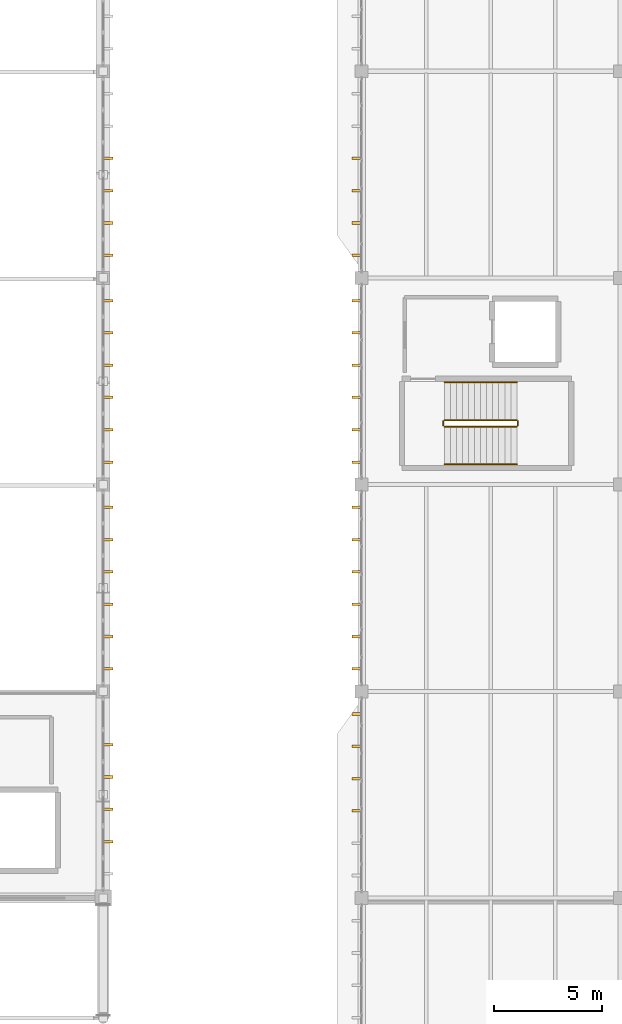
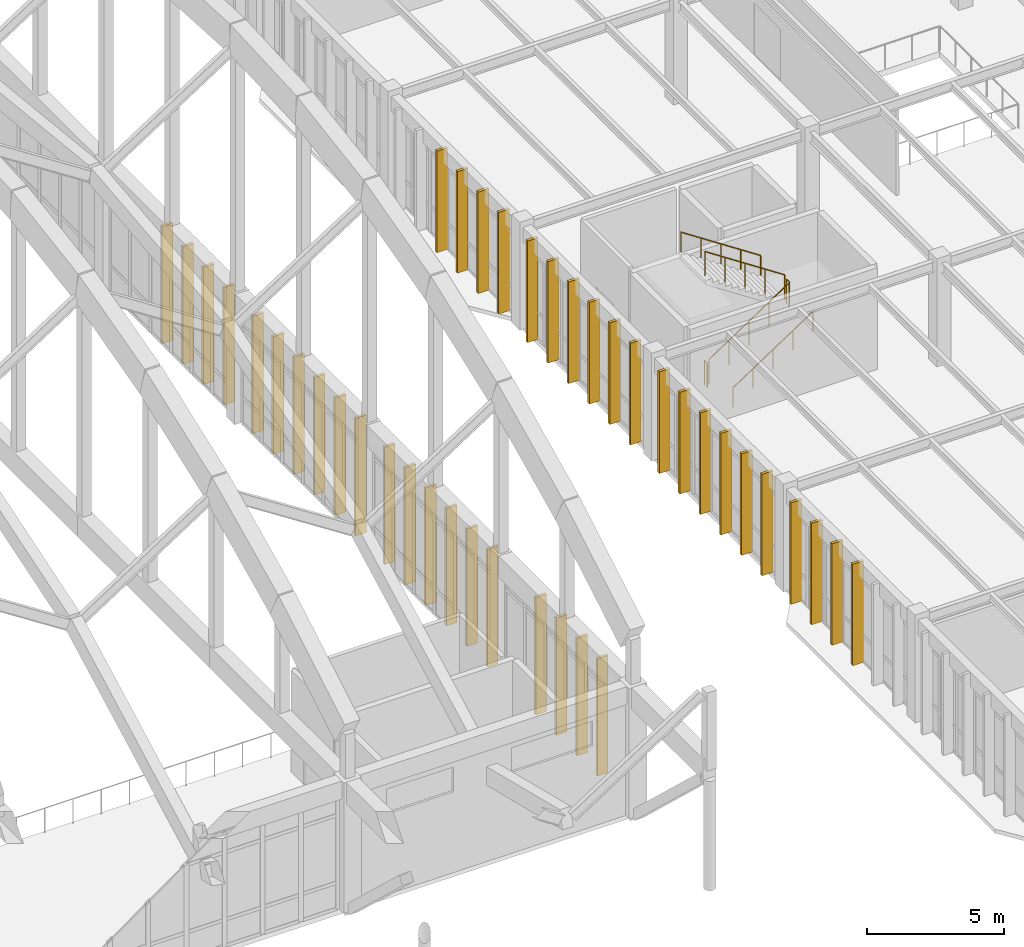
# One storey, part 232 of 236: 40 shading devices, 6 railings.
"""IFC4 building model written with IfcOpenShell, lengths in metres."""

from ifc_helpers import new_model, si_unit, direction, frame, origin, origin_2d, place, context, subcontext, project, spatial, rectangle, circle, extrude, material, type_object, element, save


model = new_model("IFC4")

# Units and contexts
model_context = context("Model", 3, precision=1e-05, world=origin(), true_north=direction((0.0, 1.0)))
body_context = subcontext(model_context, "Body", "Model", "MODEL_VIEW")
ifc_project = project(units=[si_unit("LENGTHUNIT", "METRE"), si_unit("AREAUNIT", "SQUARE_METRE"), si_unit("VOLUMEUNIT", "CUBIC_METRE"), si_unit("PLANEANGLEUNIT", "RADIAN"), si_unit("MASSUNIT", "GRAM", prefix="KILO")], contexts=[model_context])

# Site, building, storey
site_placement = place(None, origin())
site = spatial("IfcSite", under=ifc_project, at=site_placement, CompositionType="ELEMENT")
building_placement = place(site_placement, origin())
building = spatial("IfcBuilding", under=site, at=building_placement, Name="Pandanus Reach Market Hall", CompositionType="ELEMENT")
storey_placement = place(building_placement, frame((0.0, 0.0, 5.39990234375)))
storey = spatial("IfcBuildingStorey", under=building, at=storey_placement, Name="L01", CompositionType="ELEMENT", Elevation=5.39990234375)

# Shading devices
ifc_material_1 = material(Name="Precast concrete S50 (50 MPa)", Category="concrete")
shading_device_type = type_object("IfcShadingDeviceType", Name="FN-S50-450", PredefinedType="JALOUSIE", material=ifc_material_1)
for number, where, z_axis, x_axis, name in (
    (1, (132.219970703125, 31.425048828125, -0.009765625), (0.0, 0.0, 1.0), (1.0, 0.0, 0.0), "Precast brise-soleil fin 80"),
    (2, (132.219970703125, 32.925048828125, -0.009765625), (0.0, 0.0, 1.0), (1.0, 0.0, 0.0), "Precast brise-soleil fin 81"),
    (3, (132.219970703125, 34.425048828125, -0.009765625), (0.0, 0.0, 1.0), (1.0, 0.0, 0.0), "Precast brise-soleil fin 82"),
    (4, (132.219970703125, 35.925048828125, -0.009765625), (0.0, 0.0, 1.0), (1.0, 0.0, 0.0), "Precast brise-soleil fin 83"),
    (5, (132.219970703125, 39.449951171875, -0.009765625), (0.0, 0.0, 1.0), (1.0, 0.0, 0.0), "Precast brise-soleil fin 90"),
    (6, (132.219970703125, 40.949951171875, -0.009765625), (0.0, 0.0, 1.0), (1.0, 0.0, 0.0), "Precast brise-soleil fin 91"),
    (7, (132.219970703125, 42.449951171875, -0.009765625), (0.0, 0.0, 1.0), (1.0, 0.0, 0.0), "Precast brise-soleil fin 92"),
    (8, (132.219970703125, 43.949951171875, -0.009765625), (0.0, 0.0, 1.0), (1.0, 0.0, 0.0), "Precast brise-soleil fin 93"),
    (9, (132.219970703125, 45.449951171875, -0.009765625), (0.0, 0.0, 1.0), (1.0, 0.0, 0.0), "Precast brise-soleil fin 94"),
    (10, (132.219970703125, 46.949951171875, -0.009765625), (0.0, 0.0, 1.0), (1.0, 0.0, 0.0), "Precast brise-soleil fin 95"),
    (11, (132.219970703125, 49.050048828125, -0.009765625), (0.0, 0.0, 1.0), (1.0, 0.0, 0.0), "Precast brise-soleil fin 114"),
    (12, (132.219970703125, 50.550048828125, -0.009765625), (0.0, 0.0, 1.0), (1.0, 0.0, 0.0), "Precast brise-soleil fin 115"),
    (13, (132.219970703125, 52.050048828125, -0.009765625), (0.0, 0.0, 1.0), (1.0, 0.0, 0.0), "Precast brise-soleil fin 116"),
    (14, (132.219970703125, 53.550048828125, -0.009765625), (0.0, 0.0, 1.0), (1.0, 0.0, 0.0), "Precast brise-soleil fin 117"),
    (15, (132.219970703125, 55.050048828125, -0.009765625), (0.0, 0.0, 1.0), (1.0, 0.0, 0.0), "Precast brise-soleil fin 118"),
    (16, (132.219970703125, 56.550048828125, -0.009765625), (0.0, 0.0, 1.0), (1.0, 0.0, 0.0), "Precast brise-soleil fin 119"),
    (17, (132.219970703125, 58.64990234375, -0.009765625), (0.0, 0.0, 1.0), (1.0, 0.0, 0.0), "Precast brise-soleil fin 138"),
    (18, (132.219970703125, 60.14990234375, -0.009765625), (0.0, 0.0, 1.0), (1.0, 0.0, 0.0), "Precast brise-soleil fin 139"),
    (19, (132.219970703125, 61.64990234375, -0.009765625), (0.0, 0.0, 1.0), (1.0, 0.0, 0.0), "Precast brise-soleil fin 140"),
    (20, (132.219970703125, 63.14990234375, -0.009765625), (0.0, 0.0, 1.0), (1.0, 0.0, 0.0), "Precast brise-soleil fin 141"),
):
    element("IfcShadingDevice", number, at=place(storey_placement, frame(where, z_axis=z_axis, x_axis=x_axis)), inside=storey, type_object=shading_device_type, Name=name, PredefinedType="JALOUSIE", context=body_context, shape_type="SweptSolid", body=[
        extrude(rectangle(XDim=0.449951171875, YDim=0.1201171875, at=origin_2d()), origin(), (0.0, 0.0, 1.0), 5.219970703125),
    ])
for number, where, z_axis, x_axis, name in (
    (21, (143.780029296875, 32.85009765625, -0.010009765625), (0.0, 0.0, 1.0), (-1.0, 0.0, 0.0), "Precast brise-soleil fin 383"),
    (22, (143.780029296875, 34.35009765625, -0.010009765625), (0.0, 0.0, 1.0), (-1.0, 0.0, 0.0), "Precast brise-soleil fin 384"),
    (23, (143.780029296875, 35.85009765625, -0.010009765625), (0.0, 0.0, 1.0), (-1.0, 0.0, 0.0), "Precast brise-soleil fin 385"),
    (24, (143.780029296875, 37.35009765625, -0.010009765625), (0.0, 0.0, 1.0), (-1.0, 0.0, 0.0), "Precast brise-soleil fin 386"),
    (25, (143.780029296875, 39.449951171875, -0.010009765625), (0.0, 0.0, 1.0), (-1.0, 0.0, 0.0), "Precast brise-soleil fin 387"),
    (26, (143.780029296875, 40.949951171875, -0.010009765625), (0.0, 0.0, 1.0), (-1.0, 0.0, 0.0), "Precast brise-soleil fin 388"),
    (27, (143.780029296875, 42.449951171875, -0.010009765625), (0.0, 0.0, 1.0), (-1.0, 0.0, 0.0), "Precast brise-soleil fin 389"),
    (28, (143.780029296875, 43.949951171875, -0.010009765625), (0.0, 0.0, 1.0), (-1.0, 0.0, 0.0), "Precast brise-soleil fin 390"),
    (29, (143.780029296875, 45.449951171875, -0.010009765625), (0.0, 0.0, 1.0), (-1.0, 0.0, 0.0), "Precast brise-soleil fin 391"),
    (30, (143.780029296875, 46.949951171875, -0.010009765625), (0.0, 0.0, 1.0), (-1.0, 0.0, 0.0), "Precast brise-soleil fin 392"),
    (31, (143.780029296875, 49.050048828125, -0.010009765625), (0.0, 0.0, 1.0), (-1.0, 0.0, 0.0), "Precast brise-soleil fin 393"),
    (32, (143.780029296875, 50.550048828125, -0.010009765625), (0.0, 0.0, 1.0), (-1.0, 0.0, 0.0), "Precast brise-soleil fin 394"),
    (33, (143.780029296875, 52.050048828125, -0.010009765625), (0.0, 0.0, 1.0), (-1.0, 0.0, 0.0), "Precast brise-soleil fin 395"),
    (34, (143.780029296875, 53.550048828125, -0.010009765625), (0.0, 0.0, 1.0), (-1.0, 0.0, 0.0), "Precast brise-soleil fin 396"),
    (35, (143.780029296875, 55.050048828125, -0.010009765625), (0.0, 0.0, 1.0), (-1.0, 0.0, 0.0), "Precast brise-soleil fin 397"),
    (36, (143.780029296875, 56.550048828125, -0.010009765625), (0.0, 0.0, 1.0), (-1.0, 0.0, 0.0), "Precast brise-soleil fin 398"),
    (37, (143.780029296875, 58.64990234375, -0.010009765625), (0.0, 0.0, 1.0), (-1.0, 0.0, 0.0), "Precast brise-soleil fin 399"),
    (38, (143.780029296875, 60.14990234375, -0.010009765625), (0.0, 0.0, 1.0), (-1.0, 0.0, 0.0), "Precast brise-soleil fin 400"),
    (39, (143.780029296875, 61.64990234375, -0.010009765625), (0.0, 0.0, 1.0), (-1.0, 0.0, 0.0), "Precast brise-soleil fin 401"),
    (40, (143.780029296875, 63.14990234375, -0.010009765625), (0.0, 0.0, 1.0), (-1.0, 0.0, 0.0), "Precast brise-soleil fin 402"),
):
    element("IfcShadingDevice", number, at=place(storey_placement, frame(where, z_axis=z_axis, x_axis=x_axis)), inside=storey, type_object=shading_device_type, Name=name, PredefinedType="JALOUSIE", context=body_context, shape_type="SweptSolid", body=[
        extrude(rectangle(XDim=0.449951171875, YDim=0.1201171875, at=origin_2d()), origin(), (0.0, 0.0, 1.0), 4.52001953125),
    ])

# Railings
ifc_material_2 = material(Name="Galvanised steel Grade 350 (350 MPa)", Category="steel")
railing_type_1 = type_object("IfcRailingType", Name="GR-INT-110", PredefinedType="GUARDRAIL", material=ifc_material_2)
railing_1_placement = place(storey_placement, frame((147.85009765625, 50.699951171875, 0.184814453125)))
element("IfcRailing", 41, at=railing_1_placement, inside=storey, type_object=railing_type_1, Name="Stair guard ST-03 L01.75", PredefinedType="GUARDRAIL", context=body_context, shape_type="SweptSolid", body=[
    extrude(circle(Radius=0.02392578125, at=origin_2d()), frame((0.0, 0.0, 1.076171875), z_axis=(0.834858096282, 0.0, 0.550465220583), x_axis=(0.0, 1.0, 0.0)), (0.0, 0.0, 1.0), 4.0244140625),
    extrude(circle(Radius=0.02099609375, at=origin_2d()), origin(), (0.0, 0.0, 1.0), 1.052001953125),
    extrude(circle(Radius=0.02099609375, at=origin_2d()), frame((0.83984375, 0.0, 0.5537109375)), (0.0, 0.0, 1.0), 1.052001953125),
    extrude(circle(Radius=0.02099609375, at=origin_2d()), frame((1.679931640625, 0.0, 1.107666015625)), (0.0, 0.0, 1.0), 1.052001953125),
    extrude(circle(Radius=0.02099609375, at=origin_2d()), frame((2.52001953125, 0.0, 1.66162109375)), (0.0, 0.0, 1.0), 1.052001953125),
    extrude(circle(Radius=0.02099609375, at=origin_2d()), frame((3.35986328125, 0.0, 2.21533203125)), (0.0, 0.0, 1.0), 1.052001953125),
])
railing_2_placement = place(storey_placement, frame((151.260009765625, 50.75, 2.400146484375)))
element("IfcRailing", 42, at=railing_2_placement, inside=storey, type_object=railing_type_1, Name="Stair guard ST-03 L01.76", PredefinedType="GUARDRAIL", context=body_context, shape_type="SweptSolid", body=[
    extrude(circle(Radius=0.02392578125, at=origin_2d()), frame((0.0, 0.0, 1.076171875), z_axis=(0.0, 1.0, 0.0), x_axis=(-1.0, 0.0, 0.0)), (0.0, 0.0, 1.0), 0.199951171875),
    extrude(circle(Radius=0.02099609375, at=origin_2d()), origin(), (0.0, 0.0, 1.0), 1.052001953125),
    extrude(circle(Radius=0.02099609375, at=origin_2d()), frame((0.0, 0.199951171875, 0.0)), (0.0, 0.0, 1.0), 1.052001953125),
])
railing_3_placement = place(storey_placement, frame((151.2099609375, 51.0, 2.584716796875)))
element("IfcRailing", 43, at=railing_3_placement, inside=storey, type_object=railing_type_1, Name="Stair guard ST-03 L01.77", PredefinedType="GUARDRAIL", context=body_context, shape_type="SweptSolid", body=[
    extrude(circle(Radius=0.02392578125, at=origin_2d()), frame((0.0, 0.0, 1.076171875), z_axis=(-0.834858096282, 0.0, 0.550465220583), x_axis=(0.0, -1.0, 0.0)), (0.0, 0.0, 1.0), 4.0244140625),
    extrude(circle(Radius=0.02099609375, at=origin_2d()), origin(), (0.0, 0.0, 1.0), 1.052001953125),
    extrude(circle(Radius=0.02099609375, at=origin_2d()), frame((-0.83984375, 0.0, 0.5537109375)), (0.0, 0.0, 1.0), 1.052001953125),
    extrude(circle(Radius=0.02099609375, at=origin_2d()), frame((-1.679931640625, 0.0, 1.107666015625)), (0.0, 0.0, 1.0), 1.052001953125),
    extrude(circle(Radius=0.02099609375, at=origin_2d()), frame((-2.52001953125, 0.0, 1.66162109375)), (0.0, 0.0, 1.0), 1.052001953125),
    extrude(circle(Radius=0.02099609375, at=origin_2d()), frame((-3.35986328125, 0.0, 2.21533203125)), (0.0, 0.0, 1.0), 1.052001953125),
])
railing_4_placement = place(storey_placement, frame((147.800048828125, 50.75, 0.0)))
element("IfcRailing", 44, at=railing_4_placement, inside=storey, type_object=railing_type_1, Name="Stair guard ST-03 L01.78", PredefinedType="GUARDRAIL", context=body_context, shape_type="SweptSolid", body=[
    extrude(circle(Radius=0.02392578125, at=origin_2d()), frame((0.0, 0.0, 1.076171875), z_axis=(0.0, 1.0, 0.0), x_axis=(-1.0, 0.0, 0.0)), (0.0, 0.0, 1.0), 0.199951171875),
    extrude(circle(Radius=0.02099609375, at=origin_2d()), origin(), (0.0, 0.0, 1.0), 1.052001953125),
    extrude(circle(Radius=0.02099609375, at=origin_2d()), frame((0.0, 0.199951171875, 0.0)), (0.0, 0.0, 1.0), 1.052001953125),
])
ifc_material_3 = material(Name="Brushed stainless steel", Category="steel")
railing_type_2 = type_object("IfcRailingType", Name="HR-WAL-090", PredefinedType="HANDRAIL", material=ifc_material_3)
railing_5_placement = place(storey_placement, frame((147.85009765625, 48.949951171875, 0.184814453125)))
element("IfcRailing", 45, at=railing_5_placement, inside=storey, type_object=railing_type_2, Name="Stair handrail ST-03 L01.79", PredefinedType="HANDRAIL", context=body_context, shape_type="SweptSolid", body=[
    extrude(circle(Radius=0.02392578125, at=origin_2d()), frame((0.0, 0.0, 0.8759765625), z_axis=(0.834858096282, 0.0, 0.550465220583), x_axis=(0.0, 1.0, 0.0)), (0.0, 0.0, 1.0), 4.0244140625),
    extrude(circle(Radius=0.02099609375, at=origin_2d()), origin(), (0.0, 0.0, 1.0), 0.851806640625),
    extrude(circle(Radius=0.02099609375, at=origin_2d()), frame((0.83984375, 0.0, 0.5537109375)), (0.0, 0.0, 1.0), 0.851806640625),
    extrude(circle(Radius=0.02099609375, at=origin_2d()), frame((1.679931640625, 0.0, 1.107666015625)), (0.0, 0.0, 1.0), 0.851806640625),
    extrude(circle(Radius=0.02099609375, at=origin_2d()), frame((2.52001953125, 0.0, 1.66162109375)), (0.0, 0.0, 1.0), 0.851806640625),
    extrude(circle(Radius=0.02099609375, at=origin_2d()), frame((3.35986328125, 0.0, 2.21533203125)), (0.0, 0.0, 1.0), 0.851806640625),
])
railing_6_placement = place(storey_placement, frame((151.2099609375, 52.75, 2.584716796875)))
element("IfcRailing", 46, at=railing_6_placement, inside=storey, type_object=railing_type_2, Name="Stair handrail ST-03 L01.80", PredefinedType="HANDRAIL", context=body_context, shape_type="SweptSolid", body=[
    extrude(circle(Radius=0.02392578125, at=origin_2d()), frame((0.0, 0.0, 0.8759765625), z_axis=(-0.834858096282, 0.0, 0.550465220583), x_axis=(0.0, -1.0, 0.0)), (0.0, 0.0, 1.0), 4.0244140625),
    extrude(circle(Radius=0.02099609375, at=origin_2d()), origin(), (0.0, 0.0, 1.0), 0.851806640625),
    extrude(circle(Radius=0.02099609375, at=origin_2d()), frame((-0.83984375, 0.0, 0.5537109375)), (0.0, 0.0, 1.0), 0.851806640625),
    extrude(circle(Radius=0.02099609375, at=origin_2d()), frame((-1.679931640625, 0.0, 1.107666015625)), (0.0, 0.0, 1.0), 0.851806640625),
    extrude(circle(Radius=0.02099609375, at=origin_2d()), frame((-2.52001953125, 0.0, 1.66162109375)), (0.0, 0.0, 1.0), 0.851806640625),
    extrude(circle(Radius=0.02099609375, at=origin_2d()), frame((-3.35986328125, 0.0, 2.21533203125)), (0.0, 0.0, 1.0), 0.851806640625),
])

save(model, "model.ifc")
